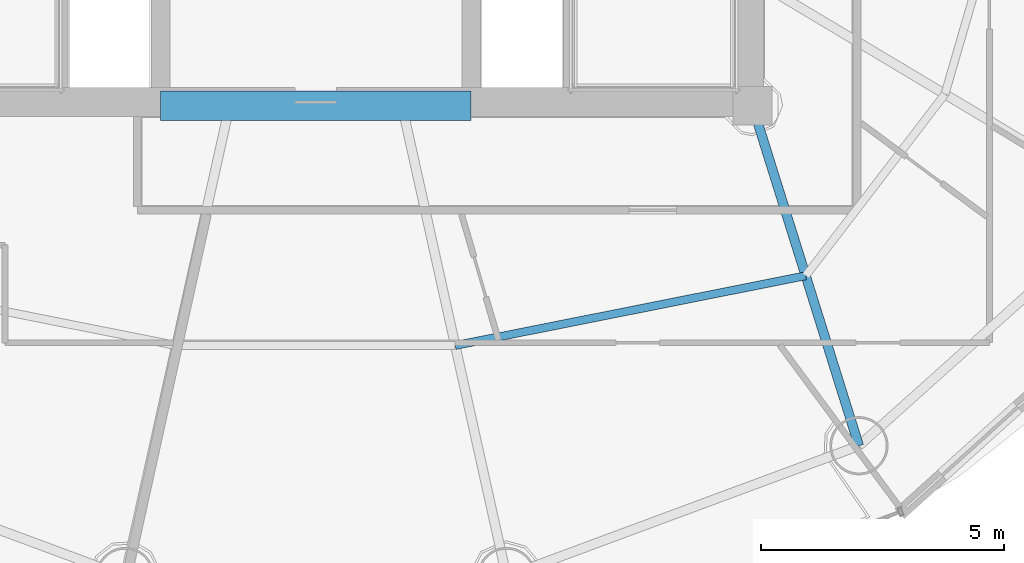
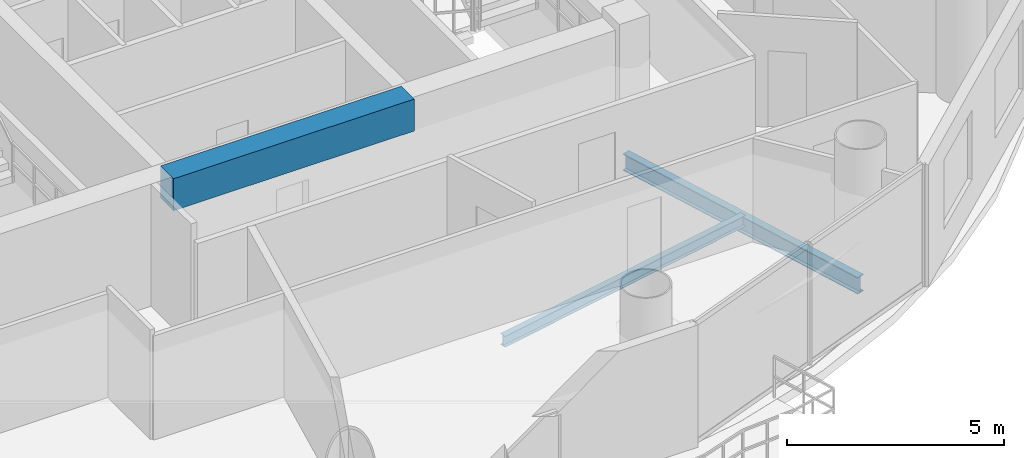
# One storey, part 7 of 26: 3 beams.
"""IFC4 building model written with IfcOpenShell, lengths in metres."""

from ifc_helpers import new_model, si_unit, direction, frame, origin, origin_2d, place, context, subcontext, project, spatial, rectangle, i_section, extrude, material, material_profile, profile_set, type_object, element, save


model = new_model("IFC4")

# Units and contexts
model_context = context("Model", 3, precision=1e-05, world=origin(), true_north=direction((-0.2419218956, 0.970295726276)))
body_context = subcontext(model_context, "Body", "Model", "MODEL_VIEW")
ifc_project = project(units=[si_unit("LENGTHUNIT", "METRE"), si_unit("AREAUNIT", "SQUARE_METRE"), si_unit("VOLUMEUNIT", "CUBIC_METRE"), si_unit("PLANEANGLEUNIT", "RADIAN"), si_unit("MASSUNIT", "GRAM", prefix="KILO")], contexts=[model_context])

# Site, building, storey
site_placement = place(None, origin())
site = spatial("IfcSite", under=ifc_project, at=site_placement, CompositionType="ELEMENT")
building_placement = place(site_placement, origin())
building = spatial("IfcBuilding", under=site, at=building_placement, Name="Cobrevalo Terracotta Tower", CompositionType="ELEMENT")
storey_placement = place(building_placement, frame((0.0, 0.0, 228.199951171875)))
storey = spatial("IfcBuildingStorey", under=building, at=storey_placement, Name="L60", CompositionType="ELEMENT", Elevation=228.199951171875)

# Beams
ifc_material_1 = material(Name="Concrete C60", Category="concrete")
ifc_material_profile_1 = material_profile(ifc_material_1, rectangle(XDim=0.60009765625, YDim=0.89990234375, at=origin_2d()), Name="RC CB 600x900")
ifc_profile_set_1 = profile_set([ifc_material_profile_1], Name="Concrete C60")
beam_type_1 = type_object("IfcBeamType", Name="Structural Beam RC CB 600x900 (Concrete C60)", PredefinedType="BEAM", material=ifc_profile_set_1)
beam_1_placement = place(storey_placement, frame((34.800048828125, 18.800048828125, 2.985107421875), z_axis=(1.0, 0.0, 0.0), x_axis=(0.0, 1.0, 0.0)))
element("IfcBeam", 1, at=beam_1_placement, inside=storey, type_object=beam_type_1, Name="L60 core coupling beam 1", PredefinedType="BEAM", context=body_context, shape_type="SweptSolid", body=[
    extrude(rectangle(XDim=0.60009765625, YDim=0.89990234375, at=origin_2d()), origin(), (0.0, 0.0, 1.0), 6.39990234375),
])
ifc_material_2 = material(Name="Steel S355", Category="steel")
ifc_material_profile_2 = material_profile(ifc_material_2, i_section(OverallWidth=0.194091796875, OverallDepth=0.468994140625, WebThickness=0.011474609375, FlangeThickness=0.0205078125, at=origin_2d()), Name="W 460x106")
ifc_profile_set_2 = profile_set([ifc_material_profile_2], Name="Steel S355")
beam_type_2 = type_object("IfcBeamType", Name="Structural Beam W 460x106 (Steel S355)", PredefinedType="BEAM", material=ifc_profile_set_2)
beam_2_placement = place(storey_placement, frame((49.19482421875, 11.7919921875, -0.49951171875), z_axis=(-0.298871212691, 0.954293454984, 0.0), x_axis=(-0.954293454984, -0.298871212691, 0.0)))
element("IfcBeam", 2, at=beam_2_placement, inside=storey, type_object=beam_type_2, Name="L60 radial floor girder 14", PredefinedType="BEAM", context=body_context, shape_type="SweptSolid", body=[
    extrude(i_section(OverallWidth=0.194091796875, OverallDepth=0.468994140625, WebThickness=0.011474609375, FlangeThickness=0.0205078125, at=origin_2d()), origin(), (0.0, 0.0, 1.0), 7.34375),
])
ifc_material_profile_3 = material_profile(ifc_material_2, i_section(OverallWidth=0.1650390625, OverallDepth=0.31005859375, WebThickness=0.005859375, FlangeThickness=0.009765625, at=origin_2d()), Name="W 310x38.7")
ifc_profile_set_3 = profile_set([ifc_material_profile_3], Name="Steel S355")
beam_type_3 = type_object("IfcBeamType", Name="Structural Joist W 310x38.7 (Steel S355)", PredefinedType="JOIST", material=ifc_profile_set_3)
beam_3_placement = place(storey_placement, frame((40.873779296875, 13.8583984375, -0.419921875), z_axis=(0.980768907748, 0.195172614871, 0.0), x_axis=(-0.195172614871, 0.980768907748, 0.0)))
element("IfcBeam", 3, at=beam_3_placement, inside=storey, type_object=beam_type_3, Name="L60 circumferential secondary floor joist 13", PredefinedType="JOIST", context=body_context, shape_type="SweptSolid", body=[
    extrude(i_section(OverallWidth=0.1650390625, OverallDepth=0.31005859375, WebThickness=0.005859375, FlangeThickness=0.009765625, at=origin_2d()), origin(), (0.0, 0.0, 1.0), 7.365234375),
])

save(model, "model.ifc")
